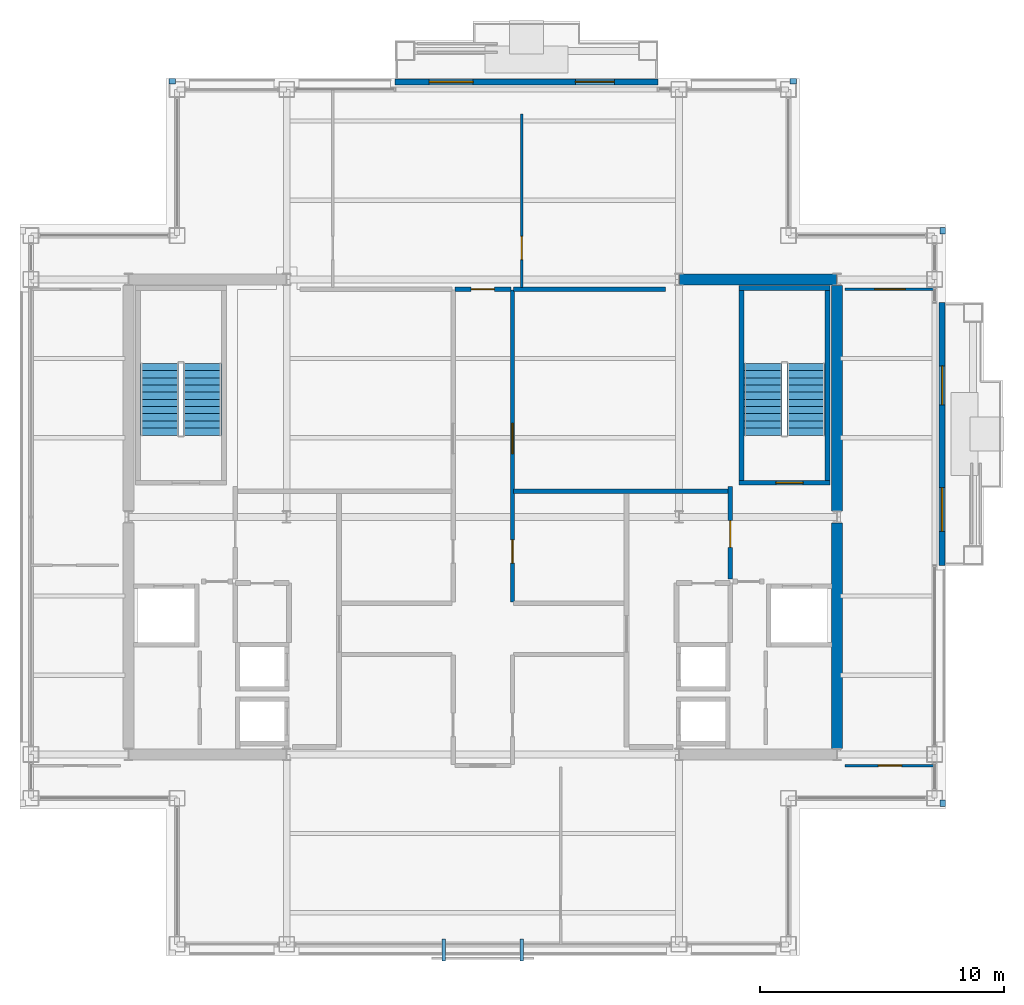
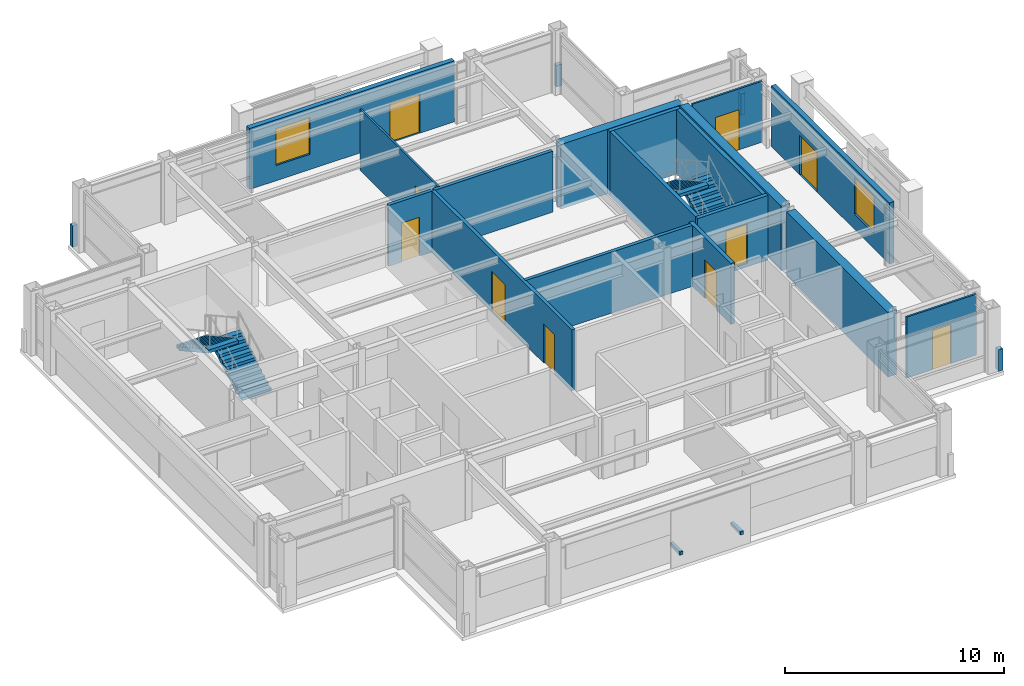
# One storey, part 21 of 23: 21 walls, 10 doors, 4 stair flights, 2 discrete accessories, 2 windows, 12 openings, 2 elements without a shape of their own.
"""IFC4 building model written with IfcOpenShell, lengths in metres."""

from ifc_helpers import new_model, si_unit, direction, frame, frame_2d, origin, origin_2d, place, context, subcontext, project, spatial, polyline, rectangle, outline, extrude, material, layer, layer_set, type_object, element, fill, aggregate, save


model = new_model("IFC4")

# Units and contexts
model_context = context("Model", 3, precision=1e-05, world=origin(), true_north=direction((0.0, 1.0)))
body_context = subcontext(model_context, "Body", "Model", "MODEL_VIEW")
ifc_project = project(units=[si_unit("LENGTHUNIT", "METRE"), si_unit("AREAUNIT", "SQUARE_METRE"), si_unit("VOLUMEUNIT", "CUBIC_METRE"), si_unit("PLANEANGLEUNIT", "RADIAN"), si_unit("MASSUNIT", "GRAM", prefix="KILO")], contexts=[model_context])

# Site, building, storey
site_placement = place(None, origin())
site = spatial("IfcSite", under=ifc_project, at=site_placement, CompositionType="ELEMENT")
building_placement = place(site_placement, origin())
building = spatial("IfcBuilding", under=site, at=building_placement, Name="Brelmoor Portico Tower", CompositionType="ELEMENT")
storey_placement = place(building_placement, frame((0.0, 0.0, 222.0)))
storey = spatial("IfcBuildingStorey", under=building, at=storey_placement, Name="L58", CompositionType="ELEMENT", Elevation=222.0)

# Walls
ifc_material_1 = material(Name="Concrete C50", Category="concrete")
ifc_layer_1 = layer(ifc_material_1, 0.449951171875)
ifc_layer_set_1 = layer_set([ifc_layer_1], Name="Concrete C50")
wall_type_1 = type_object("IfcWallType", Name="WL-CORE-450", PredefinedType="SHEAR", material=ifc_layer_set_1)
wall_1_placement = place(storey_placement, frame((8.070068359375, 9.75, -0.199951171875), z_axis=(0.0, 0.0, 1.0), x_axis=(1.0, 0.0, 0.0)))
element("IfcWall", 1, at=wall_1_placement, inside=storey, type_object=wall_type_1, Name="L58 EC North Shear Wall", PredefinedType="SHEAR", context=body_context, shape_type="SweptSolid", body=[
    extrude(rectangle(XDim=6.4599609375, YDim=0.449951171875, at=frame_2d((3.22998046875, 0.0))), origin(), (0.0, 0.0, 1.0), 3.599853515625),
])
for number, where, z_axis, x_axis, name in (
    (2, (14.550048828125, -9.5, -0.199951171875), (0.0, 0.0, 1.0), (0.0, 1.0, 0.0), "L58 EC Outer South Shear Wall"),
    (3, (14.550048828125, 0.25, -0.199951171875), (0.0, 0.0, 1.0), (0.0, 1.0, 0.0), "L58 EC Outer North Shear Wall"),
):
    element("IfcWall", number, at=place(storey_placement, frame(where, z_axis=z_axis, x_axis=x_axis)), inside=storey, type_object=wall_type_1, Name=name, PredefinedType="SHEAR", context=body_context, shape_type="SweptSolid", body=[
        extrude(rectangle(XDim=9.25, YDim=0.449951171875, at=frame_2d((4.625, 0.0))), origin(), (0.0, 0.0, 1.0), 3.599853515625),
    ])

# Wall, openings, door, window
ifc_material_2 = material(Name="Precast Concrete C40 Insulated Facade Wall", Category="concrete")
ifc_layer_2 = layer(ifc_material_2, 0.25)
ifc_layer_set_2 = layer_set([ifc_layer_2], Name="Precast Concrete C40 Insulated Facade Wall")
wall_type_2 = type_object("IfcWallType", Name="WL-EXT-250", PredefinedType="STANDARD", material=ifc_layer_set_2)
wall_2_placement = place(storey_placement, frame((-3.60009765625, 17.860107421875, 0.0), z_axis=(0.0, 0.0, 1.0), x_axis=(1.0, 0.0, 0.0)))
wall_2 = element("IfcWall", 4, at=wall_2_placement, inside=storey, type_object=wall_type_2, Name="L58 Loggia Threshold Wall N-1", PredefinedType="STANDARD", context=body_context, shape_type="SweptSolid", body=[
    extrude(rectangle(XDim=10.800048828125, YDim=0.25, at=frame_2d((5.39990234375, 0.0))), origin(), (0.0, 0.0, 1.0), 3.39990234375),
])
opening_1_placement = place(wall_2_placement, frame((7.39990234375, 0.0, 0.0)))
opening_1 = element("IfcOpeningElement", 5, at=opening_1_placement, cuts=wall_2, Name="Opening D-TB1", PredefinedType="OPENING", context=body_context, shape_type="SweptSolid", body=[
    extrude(rectangle(XDim=1.60009765625, YDim=2.199951171875, at=frame_2d((0.800048828125, 1.10009765625))), frame((0.0, 0.135009765625, 0.0), z_axis=(0.0, -1.0, 0.0), x_axis=(1.0, 0.0, 0.0)), (0.0, 0.0, 1.0), 0.27001953125),
])
opening_2_placement = place(wall_2_placement, frame((1.39990234375, 0.0, 0.85009765625)))
opening_2 = element("IfcOpeningElement", 6, at=opening_2_placement, cuts=wall_2, Name="Opening W-03C", PredefinedType="OPENING", context=body_context, shape_type="SweptSolid", body=[
    extrude(rectangle(XDim=1.800048828125, YDim=2.050048828125, at=frame_2d((0.89990234375, 1.02490234375))), frame((0.0, 0.135009765625, 0.0), z_axis=(0.0, -1.0, 0.0), x_axis=(1.0, 0.0, 0.0)), (0.0, 0.0, 1.0), 0.27001953125),
])
ifc_material_3 = material(Name="Double-Leaf Thermally Broken Terrace Door", Category="aluminium")
door_type_1 = type_object("IfcDoorType", Name="DR-BALCONY-1600", OperationType="NOTDEFINED", PredefinedType="DOOR", material=ifc_material_3)
door_1_placement = place(opening_1_placement, origin())
door_1 = element("IfcDoor", 7, at=door_1_placement, inside=storey, type_object=door_type_1, Name="D-2426 L58 Tree Balcony Double Door N", OperationType="DOUBLE_DOOR_SINGLE_SWING", OverallHeight=2.199951171875, OverallWidth=1.60009765625, PredefinedType="DOOR", context=body_context, shape_type="SweptSolid", body=[
    extrude(rectangle(XDim=1.60009765625, YDim=2.199951171875, at=frame_2d((0.800048828125, 1.10009765625))), frame((0.0, 0.02490234375, 0.0), z_axis=(0.0, -1.0, 0.0), x_axis=(1.0, 0.0, 0.0)), (0.0, 0.0, 1.0), 0.050048828125),
])
fill(opening_1, door_1)
ifc_material_4 = material(Name="Thermally Broken Aluminium Low-E Window", Category="aluminium")
window_type = type_object("IfcWindowType", Name="WN-LOGGIA-1800x2050", PartitioningType="SINGLE_PANEL", PredefinedType="WINDOW", material=ifc_material_4)
window_1_placement = place(opening_2_placement, origin())
window_1 = element("IfcWindow", 8, at=window_1_placement, inside=storey, type_object=window_type, Name="L58 Loggia Window N", OverallHeight=2.050048828125, OverallWidth=1.800048828125, PartitioningType="SINGLE_PANEL", PredefinedType="WINDOW", context=body_context, shape_type="SweptSolid", body=[
    extrude(rectangle(XDim=1.800048828125, YDim=2.050048828125, at=frame_2d((0.89990234375, 1.02490234375))), frame((0.0, 0.030029296875, 0.0), z_axis=(0.0, -1.0, 0.0), x_axis=(1.0, 0.0, 0.0)), (0.0, 0.0, 1.0), 0.06005859375),
])
fill(opening_2, window_1)

wall_3_placement = place(storey_placement, frame((18.860107421875, -2.0, 0.0), z_axis=(0.0, 0.0, 1.0), x_axis=(0.0, 1.0, 0.0)))
wall_3 = element("IfcWall", 9, at=wall_3_placement, inside=storey, type_object=wall_type_2, Name="L58 Loggia Threshold Wall E-1", PredefinedType="STANDARD", context=body_context, shape_type="SweptSolid", body=[
    extrude(rectangle(XDim=10.800048828125, YDim=0.25, at=frame_2d((5.39990234375, 0.0))), origin(), (0.0, 0.0, 1.0), 3.39990234375),
])
opening_3_placement = place(wall_3_placement, frame((6.60009765625, 0.0, 0.0)))
opening_3 = element("IfcOpeningElement", 10, at=opening_3_placement, cuts=wall_3, Name="Opening D-TB1", PredefinedType="OPENING", context=body_context, shape_type="SweptSolid", body=[
    extrude(rectangle(XDim=1.60009765625, YDim=2.199951171875, at=frame_2d((0.800048828125, 1.10009765625))), frame((0.0, 0.135009765625, 0.0), z_axis=(0.0, -1.0, 0.0), x_axis=(1.0, 0.0, 0.0)), (0.0, 0.0, 1.0), 0.27001953125),
])
opening_4_placement = place(wall_3_placement, frame((1.39990234375, 0.0, 0.85009765625)))
opening_4 = element("IfcOpeningElement", 11, at=opening_4_placement, cuts=wall_3, Name="Opening W-03C", PredefinedType="OPENING", context=body_context, shape_type="SweptSolid", body=[
    extrude(rectangle(XDim=1.800048828125, YDim=2.050048828125, at=frame_2d((0.89990234375, 1.02490234375))), frame((0.0, 0.135009765625, 0.0), z_axis=(0.0, -1.0, 0.0), x_axis=(1.0, 0.0, 0.0)), (0.0, 0.0, 1.0), 0.27001953125),
])
door_2_placement = place(opening_3_placement, origin())
door_2 = element("IfcDoor", 12, at=door_2_placement, inside=storey, type_object=door_type_1, Name="D-2425 L58 Tree Balcony Double Door E", OperationType="DOUBLE_DOOR_SINGLE_SWING", OverallHeight=2.199951171875, OverallWidth=1.60009765625, PredefinedType="DOOR", context=body_context, shape_type="SweptSolid", body=[
    extrude(rectangle(XDim=1.60009765625, YDim=2.199951171875, at=frame_2d((0.800048828125, 1.10009765625))), frame((0.0, 0.02490234375, 0.0), z_axis=(0.0, -1.0, 0.0), x_axis=(1.0, 0.0, 0.0)), (0.0, 0.0, 1.0), 0.050048828125),
])
fill(opening_3, door_2)
window_2_placement = place(opening_4_placement, origin())
window_2 = element("IfcWindow", 13, at=window_2_placement, inside=storey, type_object=window_type, Name="L58 Loggia Window E", OverallHeight=2.050048828125, OverallWidth=1.800048828125, PartitioningType="SINGLE_PANEL", PredefinedType="WINDOW", context=body_context, shape_type="SweptSolid", body=[
    extrude(rectangle(XDim=1.800048828125, YDim=2.050048828125, at=frame_2d((0.89990234375, 1.02490234375))), frame((0.0, 0.030029296875, 0.0), z_axis=(0.0, -1.0, 0.0), x_axis=(1.0, 0.0, 0.0)), (0.0, 0.0, 1.0), 0.06005859375),
])
fill(opening_4, window_2)

# Walls
ifc_material_5 = material(Name="Concrete C40 Parapet Upstand", Category="concrete")
ifc_layer_3 = layer(ifc_material_5, 0.219970703125)
ifc_layer_set_3 = layer_set([ifc_layer_3], Name="Concrete C40 Parapet Upstand")
wall_type_3 = type_object("IfcWallType", Name="WL-PARAPET-220", PredefinedType="PARAPET", material=ifc_layer_set_3)
for number, where, z_axis, x_axis, name in (
    (14, (18.889892578125, -11.889892578125, 0.0), (0.0, 0.0, 1.0), (0.0, 1.0, 0.0), "L58 Chamfer Vertex Parapet Pier SE2"),
    (15, (-12.889892578125, 17.889892578125, 0.0), (0.0, 0.0, 1.0), (1.0, 0.0, 0.0), "L58 Chamfer Vertex Parapet Pier NW1"),
    (16, (12.6201171875, 17.889892578125, 0.0), (0.0, 0.0, 1.0), (1.0, 0.0, 0.0), "L58 Chamfer Vertex Parapet Pier NE1"),
    (17, (18.889892578125, 11.6201171875, 0.0), (0.0, 0.0, 1.0), (0.0, 1.0, 0.0), "L58 Chamfer Vertex Parapet Pier NE2"),
):
    element("IfcWall", number, at=place(storey_placement, frame(where, z_axis=z_axis, x_axis=x_axis)), inside=storey, type_object=wall_type_3, Name=name, PredefinedType="PARAPET", context=body_context, shape_type="SweptSolid", body=[
        extrude(rectangle(XDim=0.269775390625, YDim=0.219970703125, at=frame_2d((0.134765625, 0.0))), origin(), (0.0, 0.0, 1.0), 1.199951171875),
    ])

# Wall, opening, door
ifc_material_6 = material(Name="Demountable Glazed Office Partition", Category="aluminium")
ifc_layer_4 = layer(ifc_material_6, 0.10009765625)
ifc_layer_set_4 = layer_set([ifc_layer_4], Name="Demountable Glazed Office Partition")
wall_type_4 = type_object("IfcWallType", Name="WL-PART-100", PredefinedType="PARTITIONING", material=ifc_layer_set_4)
wall_4_placement = place(storey_placement, frame((1.597412109375, 9.409912109375, 0.0), z_axis=(0.0, 0.0, 1.0), x_axis=(0.0, 1.0, 0.0)))
wall_4 = element("IfcWall", 18, at=wall_4_placement, inside=storey, type_object=wall_type_4, Name="L58 North Suite Partition 2", PredefinedType="PARTITIONING", context=body_context, shape_type="SweptSolid", body=[
    extrude(rectangle(XDim=7.14013671875, YDim=0.10009765625, at=frame_2d((3.570068359375, 0.0))), origin(), (0.0, 0.0, 1.0), 3.39990234375),
])
opening_5_placement = place(wall_4_placement, frame((1.14990234375, 0.0, 0.0)))
opening_5 = element("IfcOpeningElement", 19, at=opening_5_placement, cuts=wall_4, Name="Opening D-IN2", PredefinedType="OPENING", context=body_context, shape_type="SweptSolid", body=[
    extrude(rectangle(XDim=0.9599609375, YDim=2.179931640625, at=frame_2d((0.47998046875, 1.08984375))), frame((0.0, 0.06005859375, 0.0), z_axis=(0.0, -1.0, 0.0), x_axis=(1.0, 0.0, 0.0)), (0.0, 0.0, 1.0), 0.1201171875),
])
ifc_material_7 = material(Name="Lacquered Timber Suite Door", Category="wood")
door_type_2 = type_object("IfcDoorType", Name="DR-INT-950", OperationType="NOTDEFINED", PredefinedType="DOOR", material=ifc_material_7)
door_3_placement = place(opening_5_placement, origin())
door_3 = element("IfcDoor", 20, at=door_3_placement, inside=storey, type_object=door_type_2, Name="D-2416 L58 North Suite Connecting Door 2", OperationType="SINGLE_SWING_RIGHT", OverallHeight=2.179931640625, OverallWidth=0.9599609375, PredefinedType="DOOR", context=body_context, shape_type="SweptSolid", body=[
    extrude(rectangle(XDim=0.9599609375, YDim=2.179931640625, at=frame_2d((0.47998046875, 1.08984375))), frame((0.0, 0.02490234375, 0.0), z_axis=(0.0, -1.0, 0.0), x_axis=(1.0, 0.0, 0.0)), (0.0, 0.0, 1.0), 0.050048828125),
])
fill(opening_5, door_3)

wall_5_placement = place(storey_placement, frame((14.8798828125, 9.35009765625, 0.0), z_axis=(0.0, 0.0, 1.0), x_axis=(1.0, 0.0, 0.0)))
wall_5 = element("IfcWall", 21, at=wall_5_placement, inside=storey, type_object=wall_type_4, Name="L58 North Wing Suite Wall ER", PredefinedType="PARTITIONING", context=body_context, shape_type="SweptSolid", body=[
    extrude(rectangle(XDim=3.68017578125, YDim=0.10009765625, at=frame_2d((1.840087890625, 0.0))), origin(), (0.0, 0.0, 1.0), 3.39990234375),
])
opening_6_placement = place(wall_5_placement, frame((1.219970703125, 0.0, 0.0)))
opening_6 = element("IfcOpeningElement", 22, at=opening_6_placement, cuts=wall_5, Name="Opening D-SU1", PredefinedType="OPENING", context=body_context, shape_type="SweptSolid", body=[
    extrude(rectangle(XDim=1.239990234375, YDim=2.239990234375, at=frame_2d((0.6201171875, 1.1201171875))), frame((0.0, 0.06005859375, 0.0), z_axis=(0.0, -1.0, 0.0), x_axis=(1.0, 0.0, 0.0)), (0.0, 0.0, 1.0), 0.1201171875),
])
ifc_material_8 = material(Name="Glazed Timber Executive Suite Door", Category="wood")
door_type_3 = type_object("IfcDoorType", Name="DR-SUITE-1200", OperationType="NOTDEFINED", PredefinedType="DOOR", material=ifc_material_8)
door_4_placement = place(opening_6_placement, origin())
door_4 = element("IfcDoor", 23, at=door_4_placement, inside=storey, type_object=door_type_3, Name="D-2417 L58 ER Wing Suite Connecting Door", OperationType="SINGLE_SWING_LEFT", OverallHeight=2.239990234375, OverallWidth=1.239990234375, PredefinedType="DOOR", context=body_context, shape_type="SweptSolid", body=[
    extrude(rectangle(XDim=1.239990234375, YDim=2.239990234375, at=frame_2d((0.6201171875, 1.1201171875))), frame((0.0, 0.02490234375, 0.0), z_axis=(0.0, -1.0, 0.0), x_axis=(1.0, 0.0, 0.0)), (0.0, 0.0, 1.0), 0.050048828125),
])
fill(opening_6, door_4)

wall_6_placement = place(storey_placement, frame((14.8798828125, -10.2099609375, 0.0), z_axis=(0.0, 0.0, 1.0), x_axis=(1.0, 0.0, 0.0)))
wall_6 = element("IfcWall", 24, at=wall_6_placement, inside=storey, type_object=wall_type_4, Name="L58 South Wing Closure ER", PredefinedType="PARTITIONING", context=body_context, shape_type="SweptSolid", body=[
    extrude(rectangle(XDim=3.68017578125, YDim=0.10009765625, at=frame_2d((1.840087890625, 0.0))), origin(), (0.0, 0.0, 1.0), 3.39990234375),
])
opening_7_placement = place(wall_6_placement, frame((1.360107421875, 0.0, 0.0)))
opening_7 = element("IfcOpeningElement", 25, at=opening_7_placement, cuts=wall_6, Name="Opening D-IN2", PredefinedType="OPENING", context=body_context, shape_type="SweptSolid", body=[
    extrude(rectangle(XDim=0.9599609375, YDim=2.179931640625, at=frame_2d((0.47998046875, 1.08984375))), frame((0.0, 0.06005859375, 0.0), z_axis=(0.0, -1.0, 0.0), x_axis=(1.0, 0.0, 0.0)), (0.0, 0.0, 1.0), 0.1201171875),
])
door_5_placement = place(opening_7_placement, origin())
door_5 = element("IfcDoor", 26, at=door_5_placement, inside=storey, type_object=door_type_2, Name="D-2423 L58 ER Wing South Suite Door", OperationType="SINGLE_SWING_LEFT", OverallHeight=2.179931640625, OverallWidth=0.9599609375, PredefinedType="DOOR", context=body_context, shape_type="SweptSolid", body=[
    extrude(rectangle(XDim=0.9599609375, YDim=2.179931640625, at=frame_2d((0.47998046875, 1.08984375))), frame((0.0, 0.02490234375, 0.0), z_axis=(0.0, -1.0, 0.0), x_axis=(1.0, 0.0, 0.0)), (0.0, 0.0, 1.0), 0.050048828125),
])
fill(opening_7, door_5)

# Wall
ifc_material_9 = material(Name="Acoustic Corridor Fire Partition", Category="gypsum")
ifc_layer_5 = layer(ifc_material_9, 0.179931640625)
ifc_layer_set_5 = layer_set([ifc_layer_5], Name="Acoustic Corridor Fire Partition")
wall_type_5 = type_object("IfcWallType", Name="WL-PART-180", PredefinedType="PARTITIONING", material=ifc_layer_set_5)
wall_7_placement = place(storey_placement, frame((1.260009765625, 1.050048828125, 0.0), z_axis=(0.0, 0.0, 1.0), x_axis=(1.0, 0.0, 0.0)))
element("IfcWall", 27, at=wall_7_placement, inside=storey, type_object=wall_type_5, Name="L58 East Suite South Wall", PredefinedType="PARTITIONING", context=body_context, shape_type="SweptSolid", body=[
    extrude(rectangle(XDim=8.800048828125, YDim=0.179931640625, at=frame_2d((4.39990234375, 0.0))), origin(), (0.0, 0.0, 1.0), 3.39990234375),
])

# Wall, openings, doors
wall_8_placement = place(storey_placement, frame((1.219970703125, -3.5, 0.0), z_axis=(0.0, 0.0, 1.0), x_axis=(0.0, 1.0, 0.0)))
wall_8 = element("IfcWall", 28, at=wall_8_placement, inside=storey, type_object=wall_type_5, Name="L58 Central Cross East Wall", PredefinedType="PARTITIONING", context=body_context, shape_type="SweptSolid", body=[
    extrude(rectangle(XDim=12.81005859375, YDim=0.179931640625, at=frame_2d((6.405029296875, 0.0))), origin(), (0.0, 0.0, 1.0), 3.39990234375),
])
opening_8_placement = place(wall_8_placement, frame((6.10009765625, 0.0, 0.0)))
opening_8 = element("IfcOpeningElement", 29, at=opening_8_placement, cuts=wall_8, Name="Opening D-SU1", PredefinedType="OPENING", context=body_context, shape_type="SweptSolid", body=[
    extrude(rectangle(XDim=1.239990234375, YDim=2.239990234375, at=frame_2d((0.6201171875, 1.1201171875))), frame((0.0, 0.099853515625, 0.0), z_axis=(0.0, -1.0, 0.0), x_axis=(1.0, 0.0, 0.0)), (0.0, 0.0, 1.0), 0.199951171875),
])
opening_9_placement = place(wall_8_placement, frame((1.60009765625, 0.0, 0.0)))
opening_9 = element("IfcOpeningElement", 30, at=opening_9_placement, cuts=wall_8, Name="Opening D-IN2", PredefinedType="OPENING", context=body_context, shape_type="SweptSolid", body=[
    extrude(rectangle(XDim=0.9599609375, YDim=2.179931640625, at=frame_2d((0.47998046875, 1.08984375))), frame((0.0, 0.099853515625, 0.0), z_axis=(0.0, -1.0, 0.0), x_axis=(1.0, 0.0, 0.0)), (0.0, 0.0, 1.0), 0.199951171875),
])
door_6_placement = place(opening_9_placement, origin())
door_6 = element("IfcDoor", 31, at=door_6_placement, inside=storey, type_object=door_type_2, Name="D-2398 L58 Client Project Office Door", OperationType="SINGLE_SWING_RIGHT", OverallHeight=2.179931640625, OverallWidth=0.9599609375, PredefinedType="DOOR", context=body_context, shape_type="SweptSolid", body=[
    extrude(rectangle(XDim=0.9599609375, YDim=2.179931640625, at=frame_2d((0.47998046875, 1.08984375))), frame((0.0, 0.02490234375, 0.0), z_axis=(0.0, -1.0, 0.0), x_axis=(1.0, 0.0, 0.0)), (0.0, 0.0, 1.0), 0.050048828125),
])
fill(opening_9, door_6)
door_7_placement = place(opening_8_placement, origin())
door_7 = element("IfcDoor", 32, at=door_7_placement, inside=storey, type_object=door_type_3, Name="D-2399 L58 East Reclaimed Studio Door", OperationType="SINGLE_SWING_LEFT", OverallHeight=2.239990234375, OverallWidth=1.239990234375, PredefinedType="DOOR", context=body_context, shape_type="SweptSolid", body=[
    extrude(rectangle(XDim=1.239990234375, YDim=2.239990234375, at=frame_2d((0.6201171875, 1.1201171875))), frame((0.0, 0.02490234375, 0.0), z_axis=(0.0, -1.0, 0.0), x_axis=(1.0, 0.0, 0.0)), (0.0, 0.0, 1.0), 0.050048828125),
])
fill(opening_8, door_7)

# Wall
wall_9_placement = place(storey_placement, frame((1.260009765625, 9.35009765625, 0.0), z_axis=(0.0, 0.0, 1.0), x_axis=(1.0, 0.0, 0.0)))
element("IfcWall", 33, at=wall_9_placement, inside=storey, type_object=wall_type_5, Name="L58 East Suite North Wall", PredefinedType="PARTITIONING", context=body_context, shape_type="SweptSolid", body=[
    extrude(rectangle(XDim=6.239990234375, YDim=0.179931640625, at=frame_2d((3.1201171875, 0.0))), origin(), (0.0, 0.0, 1.0), 3.39990234375),
])

# Wall, opening, door
wall_10_placement = place(storey_placement, frame((-1.14990234375, 9.35009765625, 0.0), z_axis=(0.0, 0.0, 1.0), x_axis=(1.0, 0.0, 0.0)))
wall_10 = element("IfcWall", 34, at=wall_10_placement, inside=storey, type_object=wall_type_5, Name="L58 North Corridor Partition", PredefinedType="PARTITIONING", context=body_context, shape_type="SweptSolid", body=[
    extrude(rectangle(XDim=2.2998046875, YDim=0.179931640625, at=frame_2d((1.14990234375, 0.0))), origin(), (0.0, 0.0, 1.0), 3.39990234375),
])
opening_10_placement = place(wall_10_placement, frame((0.669921875, 0.0, 0.0)))
opening_10 = element("IfcOpeningElement", 35, at=opening_10_placement, cuts=wall_10, Name="Opening D-IN2", PredefinedType="OPENING", context=body_context, shape_type="SweptSolid", body=[
    extrude(rectangle(XDim=0.9599609375, YDim=2.179931640625, at=frame_2d((0.47998046875, 1.08984375))), frame((0.0, 0.099853515625, 0.0), z_axis=(0.0, -1.0, 0.0), x_axis=(1.0, 0.0, 0.0)), (0.0, 0.0, 1.0), 0.199951171875),
])
door_8_placement = place(opening_10_placement, origin())
door_8 = element("IfcDoor", 36, at=door_8_placement, inside=storey, type_object=door_type_2, Name="D-2414 L58 North Quiet Reading Lounge 2 Door", OperationType="SINGLE_SWING_LEFT", OverallHeight=2.179931640625, OverallWidth=0.9599609375, PredefinedType="DOOR", context=body_context, shape_type="SweptSolid", body=[
    extrude(rectangle(XDim=0.9599609375, YDim=2.179931640625, at=frame_2d((0.47998046875, 1.08984375))), frame((0.0, 0.02490234375, 0.0), z_axis=(0.0, -1.0, 0.0), x_axis=(1.0, 0.0, 0.0)), (0.0, 0.0, 1.0), 0.050048828125),
])
fill(opening_10, door_8)

ifc_material_10 = material(Name="Double-Stud Gypsum Fire Partition", Category="gypsum")
ifc_layer_6 = layer(ifc_material_10, 0.199951171875)
ifc_layer_set_6 = layer_set([ifc_layer_6], Name="Double-Stud Gypsum Fire Partition")
wall_type_6 = type_object("IfcWallType", Name="WL-PART-200", PredefinedType="PARTITIONING", material=ifc_layer_set_6)
wall_11_placement = place(storey_placement, frame((10.159912109375, -2.550048828125, 0.0), z_axis=(0.0, 0.0, 1.0), x_axis=(0.0, 1.0, 0.0)))
wall_11 = element("IfcWall", 37, at=wall_11_placement, inside=storey, type_object=wall_type_6, Name="L58 E Firefighting Lobby Wall", PredefinedType="PARTITIONING", context=body_context, shape_type="SweptSolid", body=[
    extrude(rectangle(XDim=3.800048828125, YDim=0.199951171875, at=frame_2d((1.89990234375, 0.0))), origin(), (0.0, 0.0, 1.0), 3.39990234375),
])
opening_11_placement = place(wall_11_placement, frame((1.300048828125, 0.0, 0.0)))
opening_11 = element("IfcOpeningElement", 38, at=opening_11_placement, cuts=wall_11, Name="Opening D-FR1", PredefinedType="OPENING", context=body_context, shape_type="SweptSolid", body=[
    extrude(rectangle(XDim=1.10009765625, YDim=2.14990234375, at=frame_2d((0.550048828125, 1.074951171875))), frame((0.0, 0.10986328125, 0.0), z_axis=(0.0, -1.0, 0.0), x_axis=(1.0, 0.0, 0.0)), (0.0, 0.0, 1.0), 0.219970703125),
])
ifc_material_11 = material(Name="Painted Galvanised Steel Fire Door", Category="steel")
door_type_4 = type_object("IfcDoorType", Name="DR-FIRE-1100", OperationType="NOTDEFINED", PredefinedType="DOOR", material=ifc_material_11)
door_9_placement = place(opening_11_placement, origin())
door_9 = element("IfcDoor", 39, at=door_9_placement, inside=storey, type_object=door_type_4, Name="D-2410 L58 E Firefighting Lobby Door", OperationType="SINGLE_SWING_LEFT", OverallHeight=2.14990234375, OverallWidth=1.10009765625, PredefinedType="DOOR", context=body_context, shape_type="SweptSolid", body=[
    extrude(rectangle(XDim=1.10009765625, YDim=2.14990234375, at=frame_2d((0.550048828125, 1.074951171875))), frame((0.0, 0.02490234375, 0.0), z_axis=(0.0, -1.0, 0.0), x_axis=(1.0, 0.0, 0.0)), (0.0, 0.0, 1.0), 0.050048828125),
])
fill(opening_11, door_9)

# Wall
ifc_material_12 = material(Name="Concrete C40", Category="concrete")
ifc_layer_7 = layer(ifc_material_12, 0.199951171875)
ifc_layer_set_7 = layer_set([ifc_layer_7], Name="Concrete C40")
wall_type_7 = type_object("IfcWallType", Name="WL-SHAFT-RC200", PredefinedType="SOLIDWALL", material=ifc_layer_set_7)
wall_12_placement = place(storey_placement, frame((14.14990234375, 1.5, -0.199951171875), z_axis=(0.0, 0.0, 1.0), x_axis=(0.0, 1.0, 0.0)))
element("IfcWall", 40, at=wall_12_placement, inside=storey, type_object=wall_type_7, Name="L58 ST-E Structural Stair Wall Outer", PredefinedType="SOLIDWALL", context=body_context, shape_type="SweptSolid", body=[
    extrude(rectangle(XDim=7.800048828125, YDim=0.199951171875, at=frame_2d((3.89990234375, 0.0))), origin(), (0.0, 0.0, 1.0), 3.599853515625),
])

# Wall, opening, door
wall_13_placement = place(storey_placement, frame((10.530029296875, 1.39990234375, -0.199951171875), z_axis=(0.0, 0.0, 1.0), x_axis=(1.0, 0.0, 0.0)))
wall_13 = element("IfcWall", 41, at=wall_13_placement, inside=storey, type_object=wall_type_7, Name="L58 ST-E Structural Stair Wall S", PredefinedType="SOLIDWALL", context=body_context, shape_type="SweptSolid", body=[
    extrude(rectangle(XDim=3.719970703125, YDim=0.199951171875, at=frame_2d((1.85986328125, 0.0))), origin(), (0.0, 0.0, 1.0), 3.599853515625),
])
opening_12_placement = place(wall_13_placement, frame((1.5, 0.0, 0.199951171875)))
opening_12 = element("IfcOpeningElement", 42, at=opening_12_placement, cuts=wall_13, Name="Opening D-ST1", PredefinedType="OPENING", context=body_context, shape_type="SweptSolid", body=[
    extrude(rectangle(XDim=1.1201171875, YDim=2.179931640625, at=frame_2d((0.56005859375, 1.08984375))), frame((0.0, 0.10986328125, 0.0), z_axis=(0.0, -1.0, 0.0), x_axis=(1.0, 0.0, 0.0)), (0.0, 0.0, 1.0), 0.219970703125),
])
door_type_5 = type_object("IfcDoorType", Name="DR-STAIR-1100", OperationType="NOTDEFINED", PredefinedType="DOOR", material=ifc_material_11)
door_10_placement = place(opening_12_placement, origin())
door_10 = element("IfcDoor", 43, at=door_10_placement, inside=storey, type_object=door_type_5, Name="D-2421 L58 ST-E Protected Exit Stair Door", OperationType="SINGLE_SWING_RIGHT", OverallHeight=2.179931640625, OverallWidth=1.1201171875, PredefinedType="DOOR", context=body_context, shape_type="SweptSolid", body=[
    extrude(rectangle(XDim=1.1201171875, YDim=2.179931640625, at=frame_2d((0.56005859375, 1.08984375))), frame((0.0, 0.02490234375, 0.0), z_axis=(0.0, -1.0, 0.0), x_axis=(1.0, 0.0, 0.0)), (0.0, 0.0, 1.0), 0.050048828125),
])
fill(opening_12, door_10)

# Walls
wall_14_placement = place(storey_placement, frame((10.530029296875, 9.39990234375, -0.199951171875), z_axis=(0.0, 0.0, 1.0), x_axis=(1.0, 0.0, 0.0)))
element("IfcWall", 44, at=wall_14_placement, inside=storey, type_object=wall_type_7, Name="L58 ST-E Structural Stair Wall N", PredefinedType="SOLIDWALL", context=body_context, shape_type="SweptSolid", body=[
    extrude(rectangle(XDim=3.719970703125, YDim=0.199951171875, at=frame_2d((1.85986328125, 0.0))), origin(), (0.0, 0.0, 1.0), 3.599853515625),
])
wall_15_placement = place(storey_placement, frame((10.6298828125, 1.5, -0.199951171875), z_axis=(0.0, 0.0, 1.0), x_axis=(0.0, 1.0, 0.0)))
element("IfcWall", 45, at=wall_15_placement, inside=storey, type_object=wall_type_7, Name="L58 ST-E Structural Stair Wall Inner", PredefinedType="SOLIDWALL", context=body_context, shape_type="SweptSolid", body=[
    extrude(rectangle(XDim=7.800048828125, YDim=0.199951171875, at=frame_2d((3.89990234375, 0.0))), origin(), (0.0, 0.0, 1.0), 3.599853515625),
])

# Stair, stair flights
stair_type_1 = type_object("IfcStairType", Name="ST-CORE-W", PredefinedType="HALF_TURN_STAIR", material=ifc_material_12)
stair_1_placement = place(storey_placement, origin())
stair_1 = element("IfcStair", 46, at=stair_1_placement, inside=storey, type_object=stair_type_1, Name="L58 Protected Core Exit Stair ST-W", PredefinedType="HALF_TURN_STAIR")
stair_flight_type = type_object("IfcStairFlightType", Name="SF-CORE-1850", PredefinedType="STRAIGHT", material=ifc_material_12)
stair_flight_1_placement = place(storey_placement, frame((-11.510009765625, 3.35009765625, 0.0), z_axis=(0.0, 0.0, 1.0), x_axis=(0.0, 1.0, 0.0)))
stair_flight_1 = element("IfcStairFlight", 47, at=stair_flight_1_placement, type_object=stair_flight_type, Name="ST-W flight 1", NumberOfRisers=11, NumberOfTreads=10, PredefinedType="STRAIGHT", RiserHeight=0.163636364, TreadLength=0.295, context=body_context, shape_type="SweptSolid", body=[
    extrude(outline(polyline([(0.0, 0.0), (0.0, 0.16357421875), (0.294921875, 0.16357421875), (0.294921875, 0.327392578125), (0.590087890625, 0.327392578125), (0.590087890625, 0.490966796875), (0.885009765625, 0.490966796875), (0.885009765625, 0.654541015625), (1.179931640625, 0.654541015625), (1.179931640625, 0.818115234375), (1.47509765625, 0.818115234375), (1.47509765625, 0.98193359375), (1.77001953125, 0.98193359375), (1.77001953125, 1.1455078125), (2.06494140625, 1.1455078125), (2.06494140625, 1.30908203125), (2.360107421875, 1.30908203125), (2.360107421875, 1.47265625), (2.655029296875, 1.47265625), (2.655029296875, 1.636474609375), (2.949951171875, 1.636474609375), (2.949951171875, 1.800048828125), (2.949951171875, 1.46484375), (0.30908203125, 0.0), (0.0, 0.0)])), frame((0.0, 0.780029296875, 0.0), z_axis=(0.0, -1.0, 0.0), x_axis=(1.0, 0.0, 0.0)), (0.0, 0.0, 1.0), 1.56005859375),
])
stair_flight_2_placement = place(storey_placement, frame((-13.27001953125, 6.300048828125, 1.800048828125), z_axis=(0.0, 0.0, 1.0), x_axis=(0.0, -1.0, 0.0)))
stair_flight_2 = element("IfcStairFlight", 48, at=stair_flight_2_placement, type_object=stair_flight_type, Name="ST-W flight 2", NumberOfRisers=11, NumberOfTreads=10, PredefinedType="STRAIGHT", RiserHeight=0.163636364, TreadLength=0.295, context=body_context, shape_type="SweptSolid", body=[
    extrude(outline(polyline([(0.0, 0.0), (0.0, 0.16357421875), (0.294921875, 0.16357421875), (0.294921875, 0.327392578125), (0.590087890625, 0.327392578125), (0.590087890625, 0.490966796875), (0.885009765625, 0.490966796875), (0.885009765625, 0.654541015625), (1.179931640625, 0.654541015625), (1.179931640625, 0.818115234375), (1.47509765625, 0.818115234375), (1.47509765625, 0.98193359375), (1.77001953125, 0.98193359375), (1.77001953125, 1.1455078125), (2.06494140625, 1.1455078125), (2.06494140625, 1.30908203125), (2.360107421875, 1.30908203125), (2.360107421875, 1.47265625), (2.655029296875, 1.47265625), (2.655029296875, 1.636474609375), (2.949951171875, 1.636474609375), (2.949951171875, 1.800048828125), (2.949951171875, 1.46484375), (0.30908203125, 0.0), (0.0, 0.0)])), frame((0.0, 0.780029296875, 0.0), z_axis=(0.0, -1.0, 0.0), x_axis=(1.0, 0.0, 0.0)), (0.0, 0.0, 1.0), 1.56005859375),
])
aggregate(stair_1, [stair_flight_1, stair_flight_2])

stair_type_2 = type_object("IfcStairType", Name="ST-CORE-E", PredefinedType="HALF_TURN_STAIR", material=ifc_material_12)
stair_2_placement = place(storey_placement, origin())
stair_2 = element("IfcStair", 49, at=stair_2_placement, inside=storey, type_object=stair_type_2, Name="L58 Protected Core Exit Stair ST-E", PredefinedType="HALF_TURN_STAIR")
stair_flight_3_placement = place(storey_placement, frame((13.27001953125, 3.35009765625, 0.0), z_axis=(0.0, 0.0, 1.0), x_axis=(0.0, 1.0, 0.0)))
stair_flight_3 = element("IfcStairFlight", 50, at=stair_flight_3_placement, type_object=stair_flight_type, Name="ST-E flight 1", NumberOfRisers=11, NumberOfTreads=10, PredefinedType="STRAIGHT", RiserHeight=0.163636364, TreadLength=0.295, context=body_context, shape_type="SweptSolid", body=[
    extrude(outline(polyline([(0.0, 0.0), (0.0, 0.16357421875), (0.294921875, 0.16357421875), (0.294921875, 0.327392578125), (0.590087890625, 0.327392578125), (0.590087890625, 0.490966796875), (0.885009765625, 0.490966796875), (0.885009765625, 0.654541015625), (1.179931640625, 0.654541015625), (1.179931640625, 0.818115234375), (1.47509765625, 0.818115234375), (1.47509765625, 0.98193359375), (1.77001953125, 0.98193359375), (1.77001953125, 1.1455078125), (2.06494140625, 1.1455078125), (2.06494140625, 1.30908203125), (2.360107421875, 1.30908203125), (2.360107421875, 1.47265625), (2.655029296875, 1.47265625), (2.655029296875, 1.636474609375), (2.949951171875, 1.636474609375), (2.949951171875, 1.800048828125), (2.949951171875, 1.46484375), (0.30908203125, 0.0), (0.0, 0.0)])), frame((0.0, 0.780029296875, 0.0), z_axis=(0.0, -1.0, 0.0), x_axis=(1.0, 0.0, 0.0)), (0.0, 0.0, 1.0), 1.56005859375),
])
stair_flight_4_placement = place(storey_placement, frame((11.510009765625, 6.300048828125, 1.800048828125), z_axis=(0.0, 0.0, 1.0), x_axis=(0.0, -1.0, 0.0)))
stair_flight_4 = element("IfcStairFlight", 51, at=stair_flight_4_placement, type_object=stair_flight_type, Name="ST-E flight 2", NumberOfRisers=11, NumberOfTreads=10, PredefinedType="STRAIGHT", RiserHeight=0.163636364, TreadLength=0.295, context=body_context, shape_type="SweptSolid", body=[
    extrude(outline(polyline([(0.0, 0.0), (0.0, 0.16357421875), (0.294921875, 0.16357421875), (0.294921875, 0.327392578125), (0.590087890625, 0.327392578125), (0.590087890625, 0.490966796875), (0.885009765625, 0.490966796875), (0.885009765625, 0.654541015625), (1.179931640625, 0.654541015625), (1.179931640625, 0.818115234375), (1.47509765625, 0.818115234375), (1.47509765625, 0.98193359375), (1.77001953125, 0.98193359375), (1.77001953125, 1.1455078125), (2.06494140625, 1.1455078125), (2.06494140625, 1.30908203125), (2.360107421875, 1.30908203125), (2.360107421875, 1.47265625), (2.655029296875, 1.47265625), (2.655029296875, 1.636474609375), (2.949951171875, 1.636474609375), (2.949951171875, 1.800048828125), (2.949951171875, 1.46484375), (0.30908203125, 0.0), (0.0, 0.0)])), frame((0.0, 0.780029296875, 0.0), z_axis=(0.0, -1.0, 0.0), x_axis=(1.0, 0.0, 0.0)), (0.0, 0.0, 1.0), 1.56005859375),
])
aggregate(stair_2, [stair_flight_3, stair_flight_4])

# Discrete accessories
ifc_material_13 = material(Name="Galvanised Steel Q355B", Category="steel")
discrete_accessory_type = type_object("IfcDiscreteAccessoryType", Name="DA-SCREEN-BRACKET", PredefinedType="BRACKET", material=ifc_material_13)
for number, where, z_axis, x_axis, name in (
    (52, (-1.60009765625, -17.780029296875, 0.76025390625), (0.0, 0.0, 1.0), (1.0, 0.0, 0.0), "L58 Solar Screen Bracket S1A"),
    (53, (1.60009765625, -17.780029296875, 0.76025390625), (0.0, 0.0, 1.0), (1.0, 0.0, 0.0), "L58 Solar Screen Bracket S1B"),
):
    element("IfcDiscreteAccessory", number, at=place(storey_placement, frame(where, z_axis=z_axis, x_axis=x_axis)), inside=storey, type_object=discrete_accessory_type, Name=name, PredefinedType="BRACKET", context=body_context, shape_type="SweptSolid", body=[
        extrude(rectangle(XDim=0.159912109375, YDim=0.89990234375, at=origin_2d()), origin(), (0.0, 0.0, 1.0), 0.179931640625),
    ])

save(model, "model.ifc")
